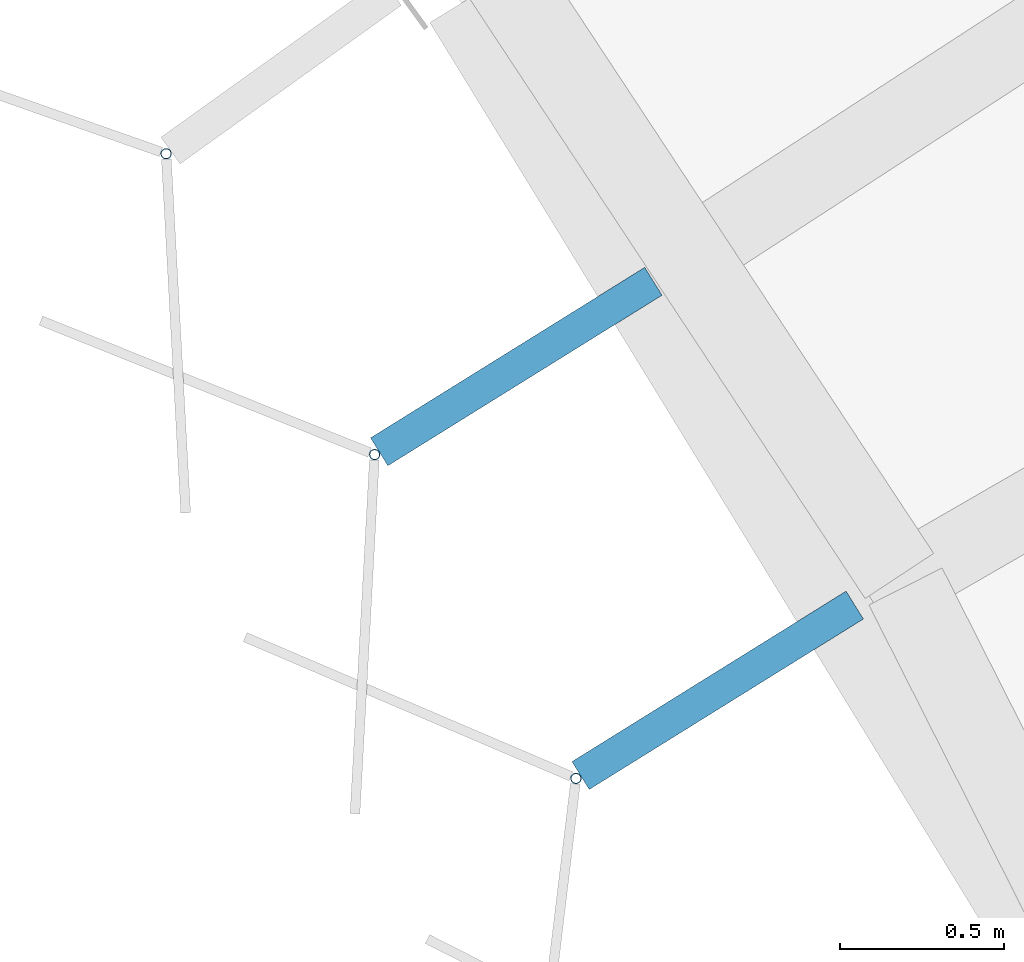
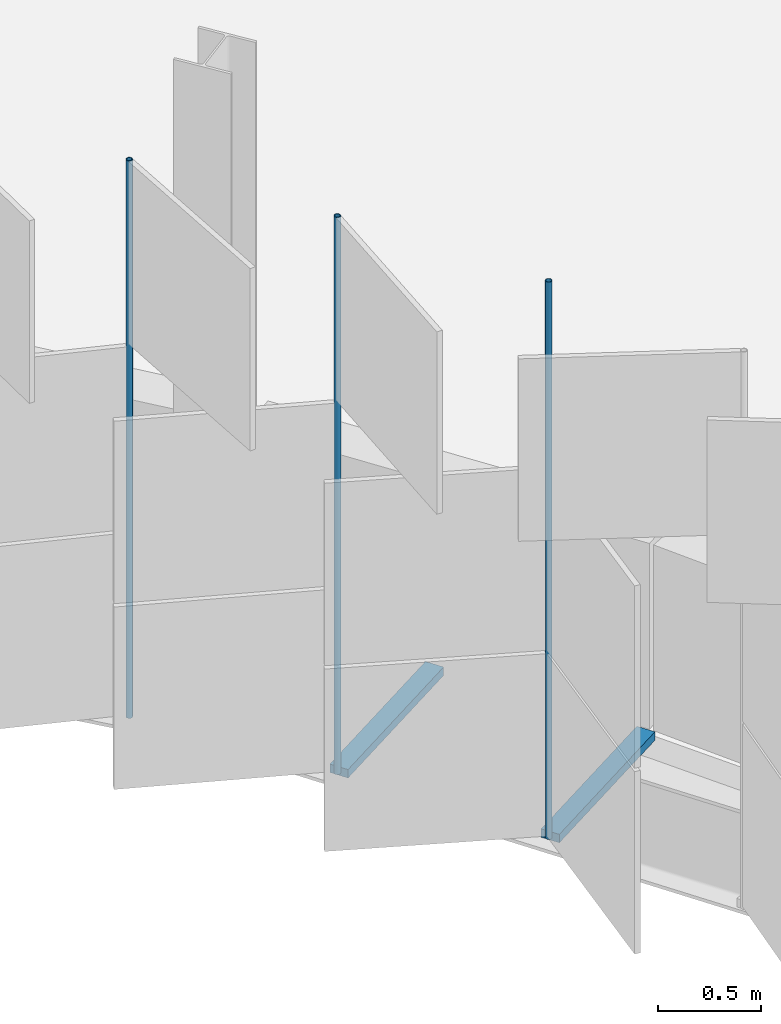
# One storey, part 101 of 198: 5 discrete accessories.
"""IFC4 building model written with IfcOpenShell, lengths in metres."""

from ifc_helpers import new_model, si_unit, direction, frame, origin, origin_2d, place, context, subcontext, project, spatial, rectangle, hollow_circle, extrude, material, material_profile, profile_set, type_object, element, save


model = new_model("IFC4")

# Units and contexts
model_context = context("Model", 3, precision=1e-05, world=origin(), true_north=direction((0.0, 1.0)))
body_context = subcontext(model_context, "Body", "Model", "MODEL_VIEW")
ifc_project = project(units=[si_unit("LENGTHUNIT", "METRE"), si_unit("AREAUNIT", "SQUARE_METRE"), si_unit("VOLUMEUNIT", "CUBIC_METRE"), si_unit("PLANEANGLEUNIT", "RADIAN"), si_unit("MASSUNIT", "GRAM", prefix="KILO")], contexts=[model_context])

# Site, building, storey
site_placement = place(None, origin())
site = spatial("IfcSite", under=ifc_project, at=site_placement, CompositionType="ELEMENT")
building_placement = place(site_placement, origin())
building = spatial("IfcBuilding", under=site, at=building_placement, Name="Parallax Yard Mobility Hub", CompositionType="ELEMENT")
storey_placement = place(building_placement, frame((0.0, 0.0, 6.60009765625)))
storey = spatial("IfcBuildingStorey", under=building, at=storey_placement, Name="L02", CompositionType="ELEMENT", Elevation=6.60009765625)

# Discrete accessories
ifc_material_1 = material(Name="Steel ASTM A36, hot-dip galvanised", Category="steel")
discrete_accessory_type_1 = type_object("IfcDiscreteAccessoryType", Name="Hinge bracket plate 100x50", PredefinedType="BRACKET", material=ifc_material_1)
for number, where, z_axis, x_axis, name in (
    (1, (190.94921875, 101.985595703125, -0.02490234375), (0.0, 0.0, 1.0), (-0.849202181527, -0.52806785065, 0.0), "Hinge bracket plate bay 21.2 level L02"),
    (2, (191.56298828125, 100.998779296875, -0.02490234375), (0.0, 0.0, 1.0), (-0.849202181527, -0.52806785065, 0.0), "Hinge bracket plate bay 21.3 level L02"),
):
    element("IfcDiscreteAccessory", number, at=place(storey_placement, frame(where, z_axis=z_axis, x_axis=x_axis)), inside=storey, type_object=discrete_accessory_type_1, Name=name, PredefinedType="BRACKET", context=body_context, shape_type="SweptSolid", body=[
        extrude(rectangle(XDim=0.984130859375, YDim=0.10009765625, at=origin_2d()), origin(), (0.0, 0.0, 1.0), 0.050048828125),
    ])
ifc_material_2 = material(Name="Steel ASTM A500 Gr C, hot-dip galvanised", Category="steel")
ifc_material_profile = material_profile(ifc_material_2, hollow_circle(Radius=0.016845703125, WallThickness=0.003173828125, at=origin_2d()), Name="CHS 33.7x3.2")
ifc_profile_set = profile_set([ifc_material_profile], Name="Steel ASTM A500 Gr C, hot-dip galvanised")
discrete_accessory_type_2 = type_object("IfcDiscreteAccessoryType", Name="Hinge post CHS 33.7x3.2", PredefinedType="BRACKET", material=ifc_profile_set)
for number, where, z_axis, x_axis, name in (
    (3, (189.8818359375, 102.63427734375, 0.0), (0.0, 0.0, 1.0), (1.0, 0.0, 0.0), "Hinge post bay 21.1 level L02"),
    (4, (190.517578125, 101.71728515625, 0.0), (0.0, 0.0, 1.0), (1.0, 0.0, 0.0), "Hinge post bay 21.2 level L02"),
    (5, (191.131103515625, 100.730224609375, 0.0), (0.0, 0.0, 1.0), (1.0, 0.0, 0.0), "Hinge post bay 21.3 level L02"),
):
    element("IfcDiscreteAccessory", number, at=place(storey_placement, frame(where, z_axis=z_axis, x_axis=x_axis)), inside=storey, type_object=discrete_accessory_type_2, Name=name, PredefinedType="BRACKET", context=body_context, shape_type="SweptSolid", body=[
        extrude(hollow_circle(Radius=0.016845703125, WallThickness=0.003173828125, at=origin_2d()), origin(), (0.0, 0.0, 1.0), 3.2998046875),
    ])

save(model, "model.ifc")
